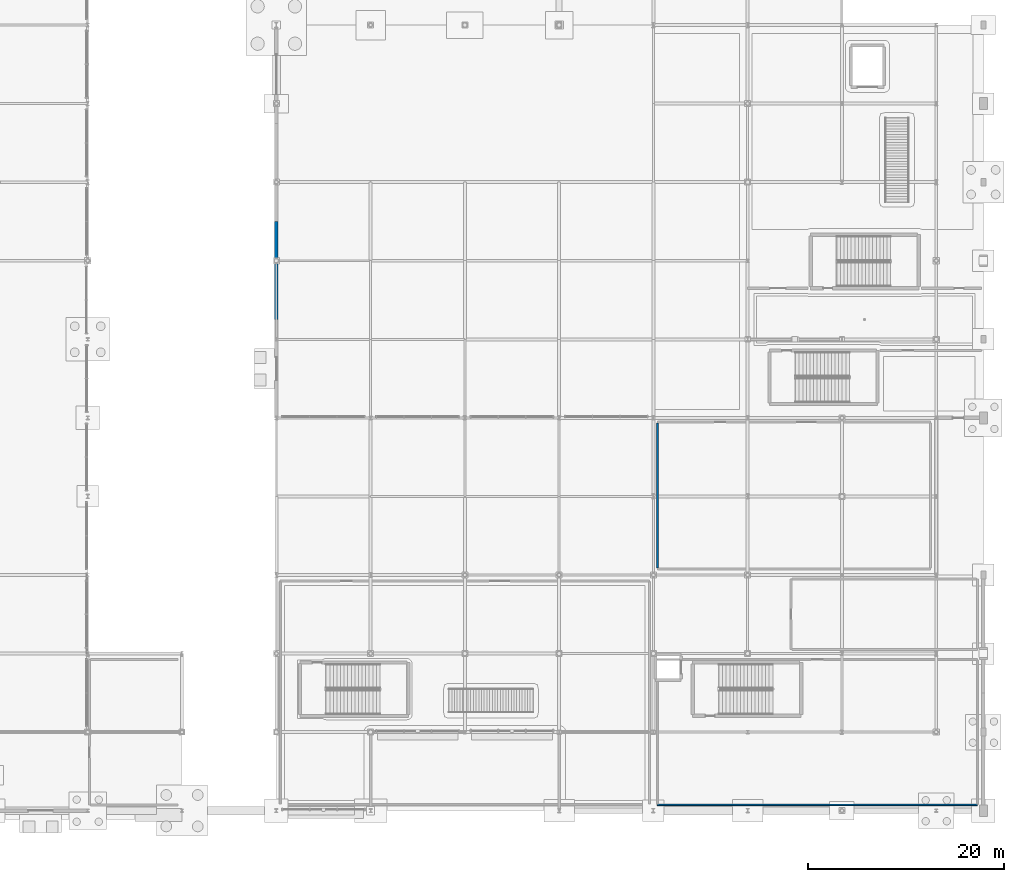
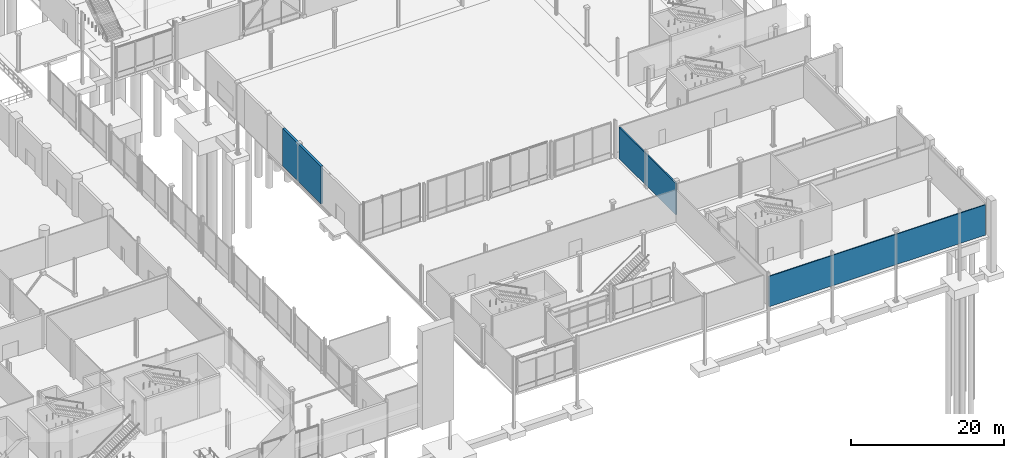
# One storey, part 81 of 124: 3 walls.
"""IFC4 building model written with IfcOpenShell, lengths in metres."""

from ifc_helpers import new_model, si_unit, direction, frame, frame_2d, origin, place, context, subcontext, project, spatial, rectangle, extrude, material, layer, layer_set, type_object, element, save


model = new_model("IFC4")

# Units and contexts
model_context = context("Model", 3, precision=1e-05, world=origin(), true_north=direction((0.0, 1.0)))
body_context = subcontext(model_context, "Body", "Model", "MODEL_VIEW")
ifc_project = project(units=[si_unit("LENGTHUNIT", "METRE"), si_unit("AREAUNIT", "SQUARE_METRE"), si_unit("VOLUMEUNIT", "CUBIC_METRE"), si_unit("PLANEANGLEUNIT", "RADIAN"), si_unit("MASSUNIT", "GRAM", prefix="KILO")], contexts=[model_context])

# Site, building, storey
site_placement = place(None, origin())
site = spatial("IfcSite", under=ifc_project, at=site_placement, CompositionType="ELEMENT")
building_placement = place(site_placement, origin())
building = spatial("IfcBuilding", under=site, at=building_placement, Name="Danafjord Basin Convention Centre", CompositionType="ELEMENT")
storey_placement = place(building_placement, origin())
storey = spatial("IfcBuildingStorey", under=building, at=storey_placement, Name="L00", CompositionType="ELEMENT", Elevation=0.0)

# Walls
ifc_material_1 = material(Name="Precast concrete C40/50", Category="concrete")
ifc_layer_1 = layer(ifc_material_1, 0.340087890625)
ifc_layer_set_1 = layer_set([ifc_layer_1], Name="Precast concrete C40/50")
wall_type_1 = type_object("IfcWallType", Name="WALL-EW-PC340", PredefinedType="SOLIDWALL", material=ifc_layer_set_1)
wall_1_placement = place(storey_placement, frame((144.0, 50.0, 0.0), z_axis=(0.0, 0.0, 1.0), x_axis=(0.0, 1.0, 0.0)))
element("IfcWall", 1, at=wall_1_placement, inside=storey, type_object=wall_type_1, Name="L00 east congress wing facade wall", PredefinedType="SOLIDWALL", context=body_context, shape_type="SweptSolid", body=[
    extrude(rectangle(XDim=10.0, YDim=0.340087890625, at=frame_2d((5.0, 0.0))), origin(), (0.0, 0.0, 1.0), 6.0),
])
ifc_material_2 = material(Name="Fire-rated gypsum metal-stud partition")
ifc_layer_2 = layer(ifc_material_2, 0.14990234375)
ifc_layer_set_2 = layer_set([ifc_layer_2], Name="Fire-rated gypsum metal-stud partition")
wall_type_2 = type_object("IfcWallType", Name="WALL-PT-ST150", PredefinedType="PARTITIONING", material=ifc_layer_set_2)
wall_2_placement = place(storey_placement, frame((182.800048828125, 0.60009765625, 0.0), z_axis=(0.0, 0.0, 1.0), x_axis=(1.0, 0.0, 0.0)))
element("IfcWall", 2, at=wall_2_placement, inside=storey, type_object=wall_type_2, Name="Harbour Visitor Business Centre south partition", PredefinedType="PARTITIONING", context=body_context, shape_type="SweptSolid", body=[
    extrude(rectangle(XDim=32.599853515625, YDim=0.14990234375, at=frame_2d((16.2998046875, 0.0))), origin(), (0.0, 0.0, 1.0), 4.840087890625),
])
ifc_material_3 = material(Name="Concrete C35/45", Category="concrete")
ifc_layer_3 = layer(ifc_material_3, 0.205078125)
ifc_layer_set_3 = layer_set([ifc_layer_3], Name="Concrete C35/45")
wall_type_3 = type_object("IfcWallType", Name="WALL-W-COMP205", PredefinedType="SOLIDWALL", material=ifc_layer_set_3)
wall_3_placement = place(storey_placement, frame((182.800048828125, 39.493408203125, 0.0), z_axis=(0.0, 0.0, 1.0), x_axis=(0.0, -1.0, 0.0)))
element("IfcWall", 3, at=wall_3_placement, inside=storey, type_object=wall_type_3, Name="Ballroom Finishing Kitchen west partition", PredefinedType="SOLIDWALL", context=body_context, shape_type="SweptSolid", body=[
    extrude(rectangle(XDim=14.786865234375, YDim=0.205078125, at=frame_2d((7.3935546875, 0.0))), origin(), (0.0, 0.0, 1.0), 5.02001953125),
])

save(model, "model.ifc")
